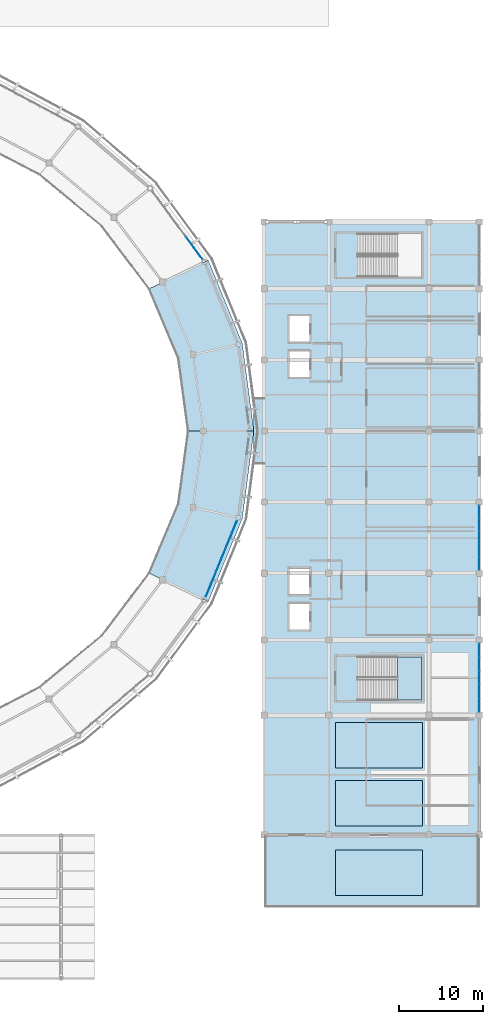
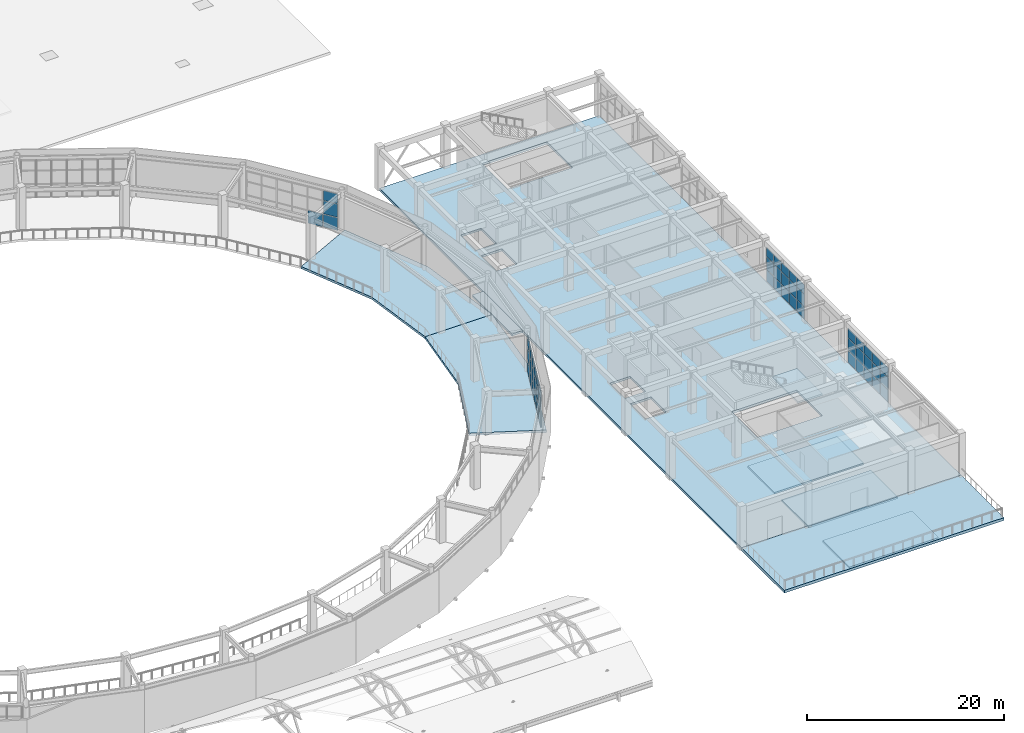
# One storey, part 47 of 70: 52 plates, 9 slabs, 5 elements without a shape of their own.
"""IFC4 building model written with IfcOpenShell, lengths in metres."""

import ifcopenshell
import ifcopenshell.guid

model = None  # the IFC model being written
_history = None  # IfcOwnerHistory: only IFC2X3 demands one
_inside = {}  # id of a spatial element -> (the spatial element, [elements in it])
_under = {}  # id of a project, library or spatial element -> (it, [spatial elements below it])
_declared = {}  # id of a project -> (the project, [libraries it declares])
_typed = {}  # id of a type object -> (the type object, [elements of that type])
_made_of = {}  # id of a material, layer set ... -> (it, [elements and type objects made of it])


def new_model(schema):
    """Start an empty IFC model of exactly this schema.

    Asked for "IFC4X3", IfcOpenShell would pick the latest addendum, in which some entities
    have other attributes; the version numbers below select the first issue.
    IFC2X3 requires an IfcOwnerHistory on every rooted entity: one is made here for all.
    """
    global model, _history
    if schema == "IFC4X3":
        model = ifcopenshell.file(schema_version=(4, 3, 0, 0))
    else:
        model = ifcopenshell.file(schema=schema)
    _inside.clear()
    _under.clear()
    _declared.clear()
    _typed.clear()
    _made_of.clear()
    _history = None
    if model.schema == "IFC2X3":
        org = make("IfcOrganization", Name="unknown")
        user = make(
            "IfcPersonAndOrganization",
            ThePerson=make("IfcPerson", FamilyName="unknown"),
            TheOrganization=org,
        )
        app = make(
            "IfcApplication",
            ApplicationDeveloper=org,
            Version="unknown",
            ApplicationFullName="unknown",
            ApplicationIdentifier="unknown",
        )
        _history = make(
            "IfcOwnerHistory",
            OwningUser=user,
            OwningApplication=app,
            ChangeAction="ADDED",
            CreationDate=0,
        )
    return model


def make(cls, **values):
    """One entity of the class cls with the attributes given. An attribute that is None is left unset."""
    return model.create_entity(
        cls, **{name: value for name, value in values.items() if value is not None}
    )


def rooted(cls, **values):
    """An entity with a GlobalId (a new one), such as an element, a storey or a relation."""
    return make(cls, GlobalId=ifcopenshell.guid.new(), OwnerHistory=_history, **values)


def si_unit(unit_type, name, prefix=None):
    """IfcSIUnit, for example si_unit("LENGTHUNIT", "METRE", prefix="MILLI")."""
    return make("IfcSIUnit", UnitType=unit_type, Prefix=prefix, Name=name)


def assignment(units):
    """IfcUnitAssignment: the units of a project."""
    return None if units is None else make("IfcUnitAssignment", Units=units)


def point(xyz):
    """IfcCartesianPoint."""
    return None if xyz is None else make("IfcCartesianPoint", Coordinates=xyz)


def direction(xyz):
    """IfcDirection."""
    return None if xyz is None else make("IfcDirection", DirectionRatios=xyz)


def frame(location, z_axis=None, x_axis=None):
    """IfcAxis2Placement3D, a coordinate frame: its origin and axes. An axis left out is left unset."""
    return make(
        "IfcAxis2Placement3D",
        Location=point(location),
        Axis=direction(z_axis),
        RefDirection=direction(x_axis),
    )


def frame_2d(location, x_axis=None):
    """IfcAxis2Placement2D, a coordinate frame in the plane: its origin and x axis."""
    return make(
        "IfcAxis2Placement2D", Location=point(location), RefDirection=direction(x_axis)
    )


def origin():
    """The frame at (0, 0, 0) with its axes left unset."""
    return frame((0.0, 0.0, 0.0))


def origin_2d():
    """The frame at (0, 0) in the plane with its x axis left unset."""
    return frame_2d((0.0, 0.0))


def place(relative_to, where):
    """IfcLocalPlacement: puts the frame where relative to a parent placement (None: the world)."""
    return make(
        "IfcLocalPlacement", PlacementRelTo=relative_to, RelativePlacement=where
    )


def context(
    kind, dimensions, precision=None, world=None, true_north=None, identifier=None
):
    """IfcGeometricRepresentationContext, for example the 3D "Model" context."""
    return make(
        "IfcGeometricRepresentationContext",
        ContextIdentifier=identifier,
        ContextType=kind,
        CoordinateSpaceDimension=dimensions,
        Precision=precision,
        WorldCoordinateSystem=world,
        TrueNorth=true_north,
    )


def subcontext(parent, identifier, kind, view, scale=None):
    """IfcGeometricRepresentationSubContext, for example "Body" below "Model"."""
    return make(
        "IfcGeometricRepresentationSubContext",
        ContextIdentifier=identifier,
        ContextType=kind,
        ParentContext=parent,
        TargetScale=scale,
        TargetView=view,
    )


def project(units=None, contexts=None):
    """IfcProject with its units and contexts."""
    return rooted(
        "IfcProject",
        Name="project",
        RepresentationContexts=contexts,
        UnitsInContext=assignment(units),
    )


def spatial(cls, under=None, at=None, **own):
    """A site, building, storey or space (cls), placed at a placement, below another one or the project."""
    s = rooted(cls, ObjectPlacement=at, **own)
    if under is not None:
        _under.setdefault(under.id(), (under, []))[1].append(s)
    return s


def polyline(points):
    """IfcPolyline through the points."""
    return make("IfcPolyline", Points=[point(p) for p in points])


def profile(cls, at=None, kind="AREA", **sizes):
    """A parametric profile (cls). Its sizes go by their IFC names, for example OverallWidth=200.0."""
    return make(cls, ProfileType=kind, Position=at, **sizes)


def rectangle(**sizes):
    """IfcRectangleProfileDef."""
    return profile("IfcRectangleProfileDef", **sizes)


def outline(outer, holes=None, kind="AREA"):
    """IfcArbitraryClosedProfileDef: a profile drawn as a closed curve; with holes, ...WithVoids."""
    if holes is None:
        return make("IfcArbitraryClosedProfileDef", ProfileType=kind, OuterCurve=outer)
    return make(
        "IfcArbitraryProfileDefWithVoids",
        ProfileType=kind,
        OuterCurve=outer,
        InnerCurves=holes,
    )


def extrude(swept, where, along, depth):
    """IfcExtrudedAreaSolid: the profile swept, set in the frame where, extruded along a direction by depth."""
    return make(
        "IfcExtrudedAreaSolid",
        SweptArea=swept,
        Position=where,
        ExtrudedDirection=direction(along),
        Depth=depth,
    )


def shape(context_of_items, identifier, shape_type, items):
    """IfcShapeRepresentation: the items that make up one representation, for example the "Body"."""
    return make(
        "IfcShapeRepresentation",
        ContextOfItems=context_of_items,
        RepresentationIdentifier=identifier,
        RepresentationType=shape_type,
        Items=items,
    )


def material(Name=None, Category=None):
    """IfcMaterial."""
    return make("IfcMaterial", Name=Name, Category=Category)


def layer(
    of_material, thickness, ventilated=None, Name=None, Category=None, Priority=None
):
    """IfcMaterialLayer: one layer of a wall or slab, of a material (None: an air gap)."""
    return make(
        "IfcMaterialLayer",
        Material=of_material,
        LayerThickness=thickness,
        IsVentilated=ventilated,
        Name=Name,
        Category=Category,
        Priority=Priority,
    )


def layer_set(layers, Name=None):
    """IfcMaterialLayerSet."""
    return make("IfcMaterialLayerSet", MaterialLayers=layers, LayerSetName=Name)


def made_of(thing, what):
    """Note that an element or type object is made of a material, layer set ...; save() writes the relation."""
    if what is not None:
        _made_of.setdefault(what.id(), (what, []))[1].append(thing)
    return thing


def type_object(cls, material=None, **own):
    """A type object (cls), such as IfcWallType, which elements share."""
    return made_of(rooted(cls, **own), material)


def element(
    cls,
    number,
    at=None,
    inside=None,
    cuts=None,
    type_object=None,
    material=None,
    context=None,
    identifier="Body",
    shape_type=None,
    held_by="IfcProductDefinitionShape",
    body=None,
    shapes=None,
    **own,
):
    """One element of the class cls, such as IfcWall. Its Tag is "e" and its number.

    at: its placement. inside: the storey or other place that contains it. cuts: it is an
    opening in that element (IfcRelVoidsElement). A single representation is given by context,
    identifier, shape_type and body (its items); several are given by shapes. held_by: the class
    of the entity that holds the representations. save() writes the other relations.
    """
    e = rooted(cls, Tag="e%d" % number, ObjectPlacement=at, **own)
    if body is not None:
        shapes = [shape(context, identifier, shape_type, body)]
    if shapes is not None:
        e.Representation = make(held_by, Representations=shapes)
    if inside is not None:
        _inside.setdefault(inside.id(), (inside, []))[1].append(e)
    if cuts is not None:
        rooted(
            "IfcRelVoidsElement", RelatingBuildingElement=cuts, RelatedOpeningElement=e
        )
    if type_object is not None:
        _typed.setdefault(type_object.id(), (type_object, []))[1].append(e)
    return made_of(e, material)


def aggregate(whole, parts):
    """IfcRelAggregates: a whole, such as a stair, and the parts it consists of."""
    return rooted("IfcRelAggregates", RelatingObject=whole, RelatedObjects=parts)


def save(model, path):
    """Write the relations noted so far, then the file.

    IfcRelAggregates (storeys below a building ...), IfcRelContainedInSpatialStructure (elements
    in a storey), IfcRelDefinesByType, IfcRelAssociatesMaterial and IfcRelDeclares: one each for
    every whole, place, type object, material and project.
    """
    for whole, parts in _under.values():
        aggregate(whole, parts)
    for where, things in _inside.values():
        rooted(
            "IfcRelContainedInSpatialStructure",
            RelatedElements=things,
            RelatingStructure=where,
        )
    for kind, things in _typed.values():
        rooted("IfcRelDefinesByType", RelatedObjects=things, RelatingType=kind)
    for what, things in _made_of.values():
        rooted("IfcRelAssociatesMaterial", RelatedObjects=things, RelatingMaterial=what)
    for by, libraries in _declared.values():
        rooted("IfcRelDeclares", RelatingContext=by, RelatedDefinitions=libraries)
    model.write(path)


model = new_model("IFC4")

# Units and contexts
model_context = context("Model", 3, precision=1e-05, world=origin(), true_north=direction((0.0, 1.0)))
body_context = subcontext(model_context, "Body", "Model", "MODEL_VIEW")
ifc_project = project(units=[si_unit("LENGTHUNIT", "METRE"), si_unit("AREAUNIT", "SQUARE_METRE"), si_unit("VOLUMEUNIT", "CUBIC_METRE"), si_unit("PLANEANGLEUNIT", "RADIAN"), si_unit("MASSUNIT", "GRAM", prefix="KILO")], contexts=[model_context])

# Site, building, storey
site_placement = place(None, origin())
site = spatial("IfcSite", under=ifc_project, at=site_placement, CompositionType="ELEMENT")
building_placement = place(site_placement, origin())
building = spatial("IfcBuilding", under=site, at=building_placement, Name="Cuetzalor Civic Arena", CompositionType="ELEMENT")
storey_placement = place(building_placement, frame((0.0, 0.0, 21.0)))
storey = spatial("IfcBuildingStorey", under=building, at=storey_placement, Name="L04", CompositionType="ELEMENT", Elevation=21.0)

# Curtain wall, plates
ifc_material_1 = material(Name="Anodised dark bronze aluminium and low-E solar glass", Category="aluminium")
curtain_wall_type_1 = type_object("IfcCurtainWallType", Name="UnitisedCW_10150x4650", PredefinedType="USERDEFINED", material=ifc_material_1)
curtain_wall_1_placement = place(storey_placement, origin())
curtain_wall_1 = element("IfcCurtainWall", 1, at=curtain_wall_1_placement, inside=storey, type_object=curtain_wall_type_1, Name="Drum Triangle Foyer Curtain Wall L04-057", ObjectType="UNITISED CURTAIN WALL", PredefinedType="USERDEFINED")
ifc_material_2 = material(Name="Acoustic laminated solar control glass", Category="glass")
ifc_layer_1 = layer(ifc_material_2, 0.0439453125)
ifc_layer_set_1 = layer_set([ifc_layer_1], Name="Acoustic laminated solar control glass")
plate_type = type_object("IfcPlateType", Name="AcousticTripleGlazedPanel_44", PredefinedType="CURTAIN_PANEL", material=ifc_layer_set_1)
plate_1_placement = place(storey_placement, frame((47.402099609375, 22.568359375, 0.06982421875), z_axis=(0.0, 0.0, 1.0), x_axis=(0.59292931222, -0.805254513002, 0.0)))
plate_1 = element("IfcPlate", 2, at=plate_1_placement, type_object=plate_type, Name="CW-06 panel 5.1", PredefinedType="CURTAIN_PANEL", context=body_context, shape_type="SweptSolid", body=[
    extrude(rectangle(XDim=1.62060546875, YDim=0.0439453125, at=origin_2d()), origin(), (0.0, 0.0, 1.0), 1.570068359375),
])
plate_2_placement = place(storey_placement, frame((48.39404296875, 21.220947265625, 0.06982421875), z_axis=(0.0, 0.0, 1.0), x_axis=(0.59292931222, -0.805254513002, 0.0)))
plate_2 = element("IfcPlate", 3, at=plate_2_placement, type_object=plate_type, Name="CW-06 panel 6.1", PredefinedType="CURTAIN_PANEL", context=body_context, shape_type="SweptSolid", body=[
    extrude(rectangle(XDim=1.585693359375, YDim=0.0439453125, at=origin_2d()), origin(), (0.0, 0.0, 1.0), 1.570068359375),
])
plate_3_placement = place(storey_placement, frame((48.39404296875, 21.220947265625, 1.7099609375), z_axis=(0.0, 0.0, 1.0), x_axis=(0.59292931222, -0.805254513002, 0.0)))
plate_3 = element("IfcPlate", 4, at=plate_3_placement, type_object=plate_type, Name="CW-06 panel 6.2", PredefinedType="CURTAIN_PANEL", context=body_context, shape_type="SweptSolid", body=[
    extrude(rectangle(XDim=1.585693359375, YDim=0.0439453125, at=origin_2d()), origin(), (0.0, 0.0, 1.0), 1.60498046875),
])
plate_4_placement = place(storey_placement, frame((48.39404296875, 21.220947265625, 3.384765625), z_axis=(0.0, 0.0, 1.0), x_axis=(0.59292931222, -0.805254513002, 0.0)))
plate_4 = element("IfcPlate", 5, at=plate_4_placement, type_object=plate_type, Name="CW-06 panel 6.3", PredefinedType="CURTAIN_PANEL", context=body_context, shape_type="SweptSolid", body=[
    extrude(rectangle(XDim=1.585693359375, YDim=0.0439453125, at=origin_2d()), origin(), (0.0, 0.0, 1.0), 1.197998046875),
])
aggregate(curtain_wall_1, [plate_1, plate_2, plate_3, plate_4])

ifc_material_3 = material(Name="Anodised dark bronze aluminium and low-E solar glass", Category="aluminium")
curtain_wall_type_2 = type_object("IfcCurtainWallType", Name="UnitisedCW_9850x4650", PredefinedType="USERDEFINED", material=ifc_material_3)
curtain_wall_2_placement = place(storey_placement, origin())
curtain_wall_2 = element("IfcCurtainWall", 6, at=curtain_wall_2_placement, inside=storey, type_object=curtain_wall_type_2, Name="Drum Triangle Foyer Curtain Wall L04-068", ObjectType="UNITISED CURTAIN WALL", PredefinedType="USERDEFINED")
plate_5_placement = place(storey_placement, frame((52.719482421875, -11.4873046875, 0.06982421875), z_axis=(0.0, 0.0, 1.0), x_axis=(-0.379391428583, -0.925236263836, 0.0)))
plate_5 = element("IfcPlate", 7, at=plate_5_placement, type_object=plate_type, Name="CW-11 panel 1.1", PredefinedType="CURTAIN_PANEL", context=body_context, shape_type="SweptSolid", body=[
    extrude(rectangle(XDim=1.540771484375, YDim=0.0439453125, at=origin_2d()), origin(), (0.0, 0.0, 1.0), 1.570068359375),
])
plate_6_placement = place(storey_placement, frame((52.719482421875, -11.4873046875, 1.7099609375), z_axis=(0.0, 0.0, 1.0), x_axis=(-0.379391428583, -0.925236263836, 0.0)))
plate_6 = element("IfcPlate", 8, at=plate_6_placement, type_object=plate_type, Name="CW-11 panel 1.2", PredefinedType="CURTAIN_PANEL", context=body_context, shape_type="SweptSolid", body=[
    extrude(rectangle(XDim=1.540771484375, YDim=0.0439453125, at=origin_2d()), origin(), (0.0, 0.0, 1.0), 1.60498046875),
])
plate_7_placement = place(storey_placement, frame((52.719482421875, -11.4873046875, 3.384765625), z_axis=(0.0, 0.0, 1.0), x_axis=(-0.379391428583, -0.925236263836, 0.0)))
plate_7 = element("IfcPlate", 9, at=plate_7_placement, type_object=plate_type, Name="CW-11 panel 1.3", PredefinedType="CURTAIN_PANEL", context=body_context, shape_type="SweptSolid", body=[
    extrude(rectangle(XDim=1.540771484375, YDim=0.0439453125, at=origin_2d()), origin(), (0.0, 0.0, 1.0), 1.197998046875),
])
plate_8_placement = place(storey_placement, frame((52.1015625, -12.993896484375, 0.06982421875), z_axis=(0.0, 0.0, 1.0), x_axis=(-0.379391428583, -0.925236263836, 0.0)))
plate_8 = element("IfcPlate", 10, at=plate_8_placement, type_object=plate_type, Name="CW-11 panel 2.1", PredefinedType="CURTAIN_PANEL", context=body_context, shape_type="SweptSolid", body=[
    extrude(rectangle(XDim=1.57568359375, YDim=0.0439453125, at=origin_2d()), origin(), (0.0, 0.0, 1.0), 1.570068359375),
])
plate_9_placement = place(storey_placement, frame((52.1015625, -12.993896484375, 1.7099609375), z_axis=(0.0, 0.0, 1.0), x_axis=(-0.379391428583, -0.925236263836, 0.0)))
plate_9 = element("IfcPlate", 11, at=plate_9_placement, type_object=plate_type, Name="CW-11 panel 2.2", PredefinedType="CURTAIN_PANEL", context=body_context, shape_type="SweptSolid", body=[
    extrude(rectangle(XDim=1.57568359375, YDim=0.0439453125, at=origin_2d()), origin(), (0.0, 0.0, 1.0), 1.60498046875),
])
plate_10_placement = place(storey_placement, frame((52.1015625, -12.993896484375, 3.384765625), z_axis=(0.0, 0.0, 1.0), x_axis=(-0.379391428583, -0.925236263836, 0.0)))
plate_10 = element("IfcPlate", 12, at=plate_10_placement, type_object=plate_type, Name="CW-11 panel 2.3", PredefinedType="CURTAIN_PANEL", context=body_context, shape_type="SweptSolid", body=[
    extrude(rectangle(XDim=1.57568359375, YDim=0.0439453125, at=origin_2d()), origin(), (0.0, 0.0, 1.0), 1.197998046875),
])
plate_11_placement = place(storey_placement, frame((51.477294921875, -14.516357421875, 0.06982421875), z_axis=(0.0, 0.0, 1.0), x_axis=(-0.379391428583, -0.925236263836, 0.0)))
plate_11 = element("IfcPlate", 13, at=plate_11_placement, type_object=plate_type, Name="CW-11 panel 3.1", PredefinedType="CURTAIN_PANEL", context=body_context, shape_type="SweptSolid", body=[
    extrude(rectangle(XDim=1.57568359375, YDim=0.0439453125, at=origin_2d()), origin(), (0.0, 0.0, 1.0), 1.570068359375),
])
plate_12_placement = place(storey_placement, frame((51.477294921875, -14.516357421875, 1.7099609375), z_axis=(0.0, 0.0, 1.0), x_axis=(-0.379391428583, -0.925236263836, 0.0)))
plate_12 = element("IfcPlate", 14, at=plate_12_placement, type_object=plate_type, Name="CW-11 panel 3.2", PredefinedType="CURTAIN_PANEL", context=body_context, shape_type="SweptSolid", body=[
    extrude(rectangle(XDim=1.57568359375, YDim=0.0439453125, at=origin_2d()), origin(), (0.0, 0.0, 1.0), 1.60498046875),
])
plate_13_placement = place(storey_placement, frame((51.477294921875, -14.516357421875, 3.384765625), z_axis=(0.0, 0.0, 1.0), x_axis=(-0.379391428583, -0.925236263836, 0.0)))
plate_13 = element("IfcPlate", 15, at=plate_13_placement, type_object=plate_type, Name="CW-11 panel 3.3", PredefinedType="CURTAIN_PANEL", context=body_context, shape_type="SweptSolid", body=[
    extrude(rectangle(XDim=1.57568359375, YDim=0.0439453125, at=origin_2d()), origin(), (0.0, 0.0, 1.0), 1.197998046875),
])
plate_14_placement = place(storey_placement, frame((50.85302734375, -16.0390625, 0.06982421875), z_axis=(0.0, 0.0, 1.0), x_axis=(-0.379391428583, -0.925236263836, 0.0)))
plate_14 = element("IfcPlate", 16, at=plate_14_placement, type_object=plate_type, Name="CW-11 panel 4.1", PredefinedType="CURTAIN_PANEL", context=body_context, shape_type="SweptSolid", body=[
    extrude(rectangle(XDim=1.57568359375, YDim=0.0439453125, at=origin_2d()), origin(), (0.0, 0.0, 1.0), 1.570068359375),
])
plate_15_placement = place(storey_placement, frame((50.85302734375, -16.0390625, 1.7099609375), z_axis=(0.0, 0.0, 1.0), x_axis=(-0.379391428583, -0.925236263836, 0.0)))
plate_15 = element("IfcPlate", 17, at=plate_15_placement, type_object=plate_type, Name="CW-11 panel 4.2", PredefinedType="CURTAIN_PANEL", context=body_context, shape_type="SweptSolid", body=[
    extrude(rectangle(XDim=1.57568359375, YDim=0.0439453125, at=origin_2d()), origin(), (0.0, 0.0, 1.0), 1.60498046875),
])
plate_16_placement = place(storey_placement, frame((50.85302734375, -16.0390625, 3.384765625), z_axis=(0.0, 0.0, 1.0), x_axis=(-0.379391428583, -0.925236263836, 0.0)))
plate_16 = element("IfcPlate", 18, at=plate_16_placement, type_object=plate_type, Name="CW-11 panel 4.3", PredefinedType="CURTAIN_PANEL", context=body_context, shape_type="SweptSolid", body=[
    extrude(rectangle(XDim=1.57568359375, YDim=0.0439453125, at=origin_2d()), origin(), (0.0, 0.0, 1.0), 1.197998046875),
])
plate_17_placement = place(storey_placement, frame((50.228515625, -17.561767578125, 0.06982421875), z_axis=(0.0, 0.0, 1.0), x_axis=(-0.379391428583, -0.925236263836, 0.0)))
plate_17 = element("IfcPlate", 19, at=plate_17_placement, type_object=plate_type, Name="CW-11 panel 5.1", PredefinedType="CURTAIN_PANEL", context=body_context, shape_type="SweptSolid", body=[
    extrude(rectangle(XDim=1.57568359375, YDim=0.0439453125, at=origin_2d()), origin(), (0.0, 0.0, 1.0), 1.570068359375),
])
plate_18_placement = place(storey_placement, frame((50.228515625, -17.561767578125, 1.7099609375), z_axis=(0.0, 0.0, 1.0), x_axis=(-0.379391428583, -0.925236263836, 0.0)))
plate_18 = element("IfcPlate", 20, at=plate_18_placement, type_object=plate_type, Name="CW-11 panel 5.2", PredefinedType="CURTAIN_PANEL", context=body_context, shape_type="SweptSolid", body=[
    extrude(rectangle(XDim=1.57568359375, YDim=0.0439453125, at=origin_2d()), origin(), (0.0, 0.0, 1.0), 1.60498046875),
])
plate_19_placement = place(storey_placement, frame((50.228515625, -17.561767578125, 3.384765625), z_axis=(0.0, 0.0, 1.0), x_axis=(-0.379391428583, -0.925236263836, 0.0)))
plate_19 = element("IfcPlate", 21, at=plate_19_placement, type_object=plate_type, Name="CW-11 panel 5.3", PredefinedType="CURTAIN_PANEL", context=body_context, shape_type="SweptSolid", body=[
    extrude(rectangle(XDim=1.57568359375, YDim=0.0439453125, at=origin_2d()), origin(), (0.0, 0.0, 1.0), 1.197998046875),
])
plate_20_placement = place(storey_placement, frame((49.61083984375, -19.068359375, 0.06982421875), z_axis=(0.0, 0.0, 1.0), x_axis=(-0.379391428583, -0.925236263836, 0.0)))
plate_20 = element("IfcPlate", 22, at=plate_20_placement, type_object=plate_type, Name="CW-11 panel 6.1", PredefinedType="CURTAIN_PANEL", context=body_context, shape_type="SweptSolid", body=[
    extrude(rectangle(XDim=1.540771484375, YDim=0.0439453125, at=origin_2d()), origin(), (0.0, 0.0, 1.0), 1.570068359375),
])
plate_21_placement = place(storey_placement, frame((49.61083984375, -19.068359375, 1.7099609375), z_axis=(0.0, 0.0, 1.0), x_axis=(-0.379391428583, -0.925236263836, 0.0)))
plate_21 = element("IfcPlate", 23, at=plate_21_placement, type_object=plate_type, Name="CW-11 panel 6.2", PredefinedType="CURTAIN_PANEL", context=body_context, shape_type="SweptSolid", body=[
    extrude(rectangle(XDim=1.540771484375, YDim=0.0439453125, at=origin_2d()), origin(), (0.0, 0.0, 1.0), 1.60498046875),
])
plate_22_placement = place(storey_placement, frame((49.61083984375, -19.068359375, 3.384765625), z_axis=(0.0, 0.0, 1.0), x_axis=(-0.379391428583, -0.925236263836, 0.0)))
plate_22 = element("IfcPlate", 24, at=plate_22_placement, type_object=plate_type, Name="CW-11 panel 6.3", PredefinedType="CURTAIN_PANEL", context=body_context, shape_type="SweptSolid", body=[
    extrude(rectangle(XDim=1.540771484375, YDim=0.0439453125, at=origin_2d()), origin(), (0.0, 0.0, 1.0), 1.197998046875),
])
aggregate(curtain_wall_2, [plate_5, plate_6, plate_7, plate_8, plate_9, plate_10, plate_11, plate_12, plate_13, plate_14, plate_15, plate_16, plate_17, plate_18, plate_19, plate_20, plate_21, plate_22])

ifc_material_4 = material(Name="Anodised dark bronze aluminium and low-E solar glass", Category="aluminium")
curtain_wall_type_3 = type_object("IfcCurtainWallType", Name="UnitisedCW_8300x4350", PredefinedType="USERDEFINED", material=ifc_material_4)
curtain_wall_3_placement = place(storey_placement, origin())
curtain_wall_3 = element("IfcCurtainWall", 25, at=curtain_wall_3_placement, inside=storey, type_object=curtain_wall_type_3, Name="V4E Suite Viewing Curtain Wall L04-150", ObjectType="UNITISED CURTAIN WALL", PredefinedType="USERDEFINED")
plate_23_placement = place(storey_placement, frame((82.0, -26.201904296875, 0.06494140625), z_axis=(0.0, 0.0, 1.0), x_axis=(0.0, -1.0, 0.0)))
plate_23 = element("IfcPlate", 26, at=plate_23_placement, type_object=plate_type, Name="CW-46 panel 1.1", PredefinedType="CURTAIN_PANEL", context=body_context, shape_type="SweptSolid", body=[
    extrude(rectangle(XDim=1.559814453125, YDim=0.0439453125, at=origin_2d()), origin(), (0.0, 0.0, 1.0), 1.472412109375),
])
plate_24_placement = place(storey_placement, frame((82.0, -26.201904296875, 1.6025390625), z_axis=(0.0, 0.0, 1.0), x_axis=(0.0, -1.0, 0.0)))
plate_24 = element("IfcPlate", 27, at=plate_24_placement, type_object=plate_type, Name="CW-46 panel 1.2", PredefinedType="CURTAIN_PANEL", context=body_context, shape_type="SweptSolid", body=[
    extrude(rectangle(XDim=1.559814453125, YDim=0.0439453125, at=origin_2d()), origin(), (0.0, 0.0, 1.0), 1.50390625),
])
plate_25_placement = place(storey_placement, frame((82.0, -26.201904296875, 3.17138671875), z_axis=(0.0, 0.0, 1.0), x_axis=(0.0, -1.0, 0.0)))
plate_25 = element("IfcPlate", 28, at=plate_25_placement, type_object=plate_type, Name="CW-46 panel 1.3", PredefinedType="CURTAIN_PANEL", context=body_context, shape_type="SweptSolid", body=[
    extrude(rectangle(XDim=1.559814453125, YDim=0.0439453125, at=origin_2d()), origin(), (0.0, 0.0, 1.0), 1.12353515625),
])
plate_26_placement = place(storey_placement, frame((82.0, -27.8427734375, 0.06494140625), z_axis=(0.0, 0.0, 1.0), x_axis=(0.0, -1.0, 0.0)))
plate_26 = element("IfcPlate", 29, at=plate_26_placement, type_object=plate_type, Name="CW-46 panel 2.1", PredefinedType="CURTAIN_PANEL", context=body_context, shape_type="SweptSolid", body=[
    extrude(rectangle(XDim=1.59228515625, YDim=0.0439453125, at=origin_2d()), origin(), (0.0, 0.0, 1.0), 1.472412109375),
])
plate_27_placement = place(storey_placement, frame((82.0, -27.8427734375, 1.6025390625), z_axis=(0.0, 0.0, 1.0), x_axis=(0.0, -1.0, 0.0)))
plate_27 = element("IfcPlate", 30, at=plate_27_placement, type_object=plate_type, Name="CW-46 panel 2.2", PredefinedType="CURTAIN_PANEL", context=body_context, shape_type="SweptSolid", body=[
    extrude(rectangle(XDim=1.59228515625, YDim=0.0439453125, at=origin_2d()), origin(), (0.0, 0.0, 1.0), 1.50390625),
])
plate_28_placement = place(storey_placement, frame((82.0, -27.8427734375, 3.17138671875), z_axis=(0.0, 0.0, 1.0), x_axis=(0.0, -1.0, 0.0)))
plate_28 = element("IfcPlate", 31, at=plate_28_placement, type_object=plate_type, Name="CW-46 panel 2.3", PredefinedType="CURTAIN_PANEL", context=body_context, shape_type="SweptSolid", body=[
    extrude(rectangle(XDim=1.59228515625, YDim=0.0439453125, at=origin_2d()), origin(), (0.0, 0.0, 1.0), 1.12353515625),
])
plate_29_placement = place(storey_placement, frame((82.0, -29.5, 0.06494140625), z_axis=(0.0, 0.0, 1.0), x_axis=(0.0, -1.0, 0.0)))
plate_29 = element("IfcPlate", 32, at=plate_29_placement, type_object=plate_type, Name="CW-46 panel 3.1", PredefinedType="CURTAIN_PANEL", context=body_context, shape_type="SweptSolid", body=[
    extrude(rectangle(XDim=1.59228515625, YDim=0.0439453125, at=origin_2d()), origin(), (0.0, 0.0, 1.0), 1.472412109375),
])
plate_30_placement = place(storey_placement, frame((82.0, -29.5, 1.6025390625), z_axis=(0.0, 0.0, 1.0), x_axis=(0.0, -1.0, 0.0)))
plate_30 = element("IfcPlate", 33, at=plate_30_placement, type_object=plate_type, Name="CW-46 panel 3.2", PredefinedType="CURTAIN_PANEL", context=body_context, shape_type="SweptSolid", body=[
    extrude(rectangle(XDim=1.59228515625, YDim=0.0439453125, at=origin_2d()), origin(), (0.0, 0.0, 1.0), 1.50390625),
])
plate_31_placement = place(storey_placement, frame((82.0, -29.5, 3.17138671875), z_axis=(0.0, 0.0, 1.0), x_axis=(0.0, -1.0, 0.0)))
plate_31 = element("IfcPlate", 34, at=plate_31_placement, type_object=plate_type, Name="CW-46 panel 3.3", PredefinedType="CURTAIN_PANEL", context=body_context, shape_type="SweptSolid", body=[
    extrude(rectangle(XDim=1.59228515625, YDim=0.0439453125, at=origin_2d()), origin(), (0.0, 0.0, 1.0), 1.12353515625),
])
plate_32_placement = place(storey_placement, frame((82.0, -31.1572265625, 0.06494140625), z_axis=(0.0, 0.0, 1.0), x_axis=(0.0, -1.0, 0.0)))
plate_32 = element("IfcPlate", 35, at=plate_32_placement, type_object=plate_type, Name="CW-46 panel 4.1", PredefinedType="CURTAIN_PANEL", context=body_context, shape_type="SweptSolid", body=[
    extrude(rectangle(XDim=1.59228515625, YDim=0.0439453125, at=origin_2d()), origin(), (0.0, 0.0, 1.0), 1.472412109375),
])
plate_33_placement = place(storey_placement, frame((82.0, -31.1572265625, 1.6025390625), z_axis=(0.0, 0.0, 1.0), x_axis=(0.0, -1.0, 0.0)))
plate_33 = element("IfcPlate", 36, at=plate_33_placement, type_object=plate_type, Name="CW-46 panel 4.2", PredefinedType="CURTAIN_PANEL", context=body_context, shape_type="SweptSolid", body=[
    extrude(rectangle(XDim=1.59228515625, YDim=0.0439453125, at=origin_2d()), origin(), (0.0, 0.0, 1.0), 1.50390625),
])
plate_34_placement = place(storey_placement, frame((82.0, -31.1572265625, 3.17138671875), z_axis=(0.0, 0.0, 1.0), x_axis=(0.0, -1.0, 0.0)))
plate_34 = element("IfcPlate", 37, at=plate_34_placement, type_object=plate_type, Name="CW-46 panel 4.3", PredefinedType="CURTAIN_PANEL", context=body_context, shape_type="SweptSolid", body=[
    extrude(rectangle(XDim=1.59228515625, YDim=0.0439453125, at=origin_2d()), origin(), (0.0, 0.0, 1.0), 1.12353515625),
])
plate_35_placement = place(storey_placement, frame((82.0, -32.798095703125, 0.06494140625), z_axis=(0.0, 0.0, 1.0), x_axis=(0.0, -1.0, 0.0)))
plate_35 = element("IfcPlate", 38, at=plate_35_placement, type_object=plate_type, Name="CW-46 panel 5.1", PredefinedType="CURTAIN_PANEL", context=body_context, shape_type="SweptSolid", body=[
    extrude(rectangle(XDim=1.559814453125, YDim=0.0439453125, at=origin_2d()), origin(), (0.0, 0.0, 1.0), 1.472412109375),
])
plate_36_placement = place(storey_placement, frame((82.0, -32.798095703125, 1.6025390625), z_axis=(0.0, 0.0, 1.0), x_axis=(0.0, -1.0, 0.0)))
plate_36 = element("IfcPlate", 39, at=plate_36_placement, type_object=plate_type, Name="CW-46 panel 5.2", PredefinedType="CURTAIN_PANEL", context=body_context, shape_type="SweptSolid", body=[
    extrude(rectangle(XDim=1.559814453125, YDim=0.0439453125, at=origin_2d()), origin(), (0.0, 0.0, 1.0), 1.50390625),
])
plate_37_placement = place(storey_placement, frame((82.0, -32.798095703125, 3.17138671875), z_axis=(0.0, 0.0, 1.0), x_axis=(0.0, -1.0, 0.0)))
plate_37 = element("IfcPlate", 40, at=plate_37_placement, type_object=plate_type, Name="CW-46 panel 5.3", PredefinedType="CURTAIN_PANEL", context=body_context, shape_type="SweptSolid", body=[
    extrude(rectangle(XDim=1.559814453125, YDim=0.0439453125, at=origin_2d()), origin(), (0.0, 0.0, 1.0), 1.12353515625),
])
aggregate(curtain_wall_3, [plate_23, plate_24, plate_25, plate_26, plate_27, plate_28, plate_29, plate_30, plate_31, plate_32, plate_33, plate_34, plate_35, plate_36, plate_37])

ifc_material_5 = material(Name="Anodised dark bronze aluminium and low-E solar glass", Category="aluminium")
curtain_wall_type_4 = type_object("IfcCurtainWallType", Name="UnitisedCW_7800x4350", PredefinedType="USERDEFINED", material=ifc_material_5)
curtain_wall_4_placement = place(storey_placement, origin())
curtain_wall_4 = element("IfcCurtainWall", 41, at=curtain_wall_4_placement, inside=storey, type_object=curtain_wall_type_4, Name="V4E Suite Viewing Curtain Wall L04-151", ObjectType="UNITISED CURTAIN WALL", PredefinedType="USERDEFINED")
plate_38_placement = place(storey_placement, frame((82.0, -9.65185546875, 0.06494140625), z_axis=(0.0, 0.0, 1.0), x_axis=(0.0, -1.0, 0.0)))
plate_38 = element("IfcPlate", 42, at=plate_38_placement, type_object=plate_type, Name="CW-47 panel 1.1", PredefinedType="CURTAIN_PANEL", context=body_context, shape_type="SweptSolid", body=[
    extrude(rectangle(XDim=1.459716796875, YDim=0.0439453125, at=origin_2d()), origin(), (0.0, 0.0, 1.0), 1.472412109375),
])
plate_39_placement = place(storey_placement, frame((82.0, -9.65185546875, 1.6025390625), z_axis=(0.0, 0.0, 1.0), x_axis=(0.0, -1.0, 0.0)))
plate_39 = element("IfcPlate", 43, at=plate_39_placement, type_object=plate_type, Name="CW-47 panel 1.2", PredefinedType="CURTAIN_PANEL", context=body_context, shape_type="SweptSolid", body=[
    extrude(rectangle(XDim=1.459716796875, YDim=0.0439453125, at=origin_2d()), origin(), (0.0, 0.0, 1.0), 1.50390625),
])
plate_40_placement = place(storey_placement, frame((82.0, -9.65185546875, 3.17138671875), z_axis=(0.0, 0.0, 1.0), x_axis=(0.0, -1.0, 0.0)))
plate_40 = element("IfcPlate", 44, at=plate_40_placement, type_object=plate_type, Name="CW-47 panel 1.3", PredefinedType="CURTAIN_PANEL", context=body_context, shape_type="SweptSolid", body=[
    extrude(rectangle(XDim=1.459716796875, YDim=0.0439453125, at=origin_2d()), origin(), (0.0, 0.0, 1.0), 1.12353515625),
])
plate_41_placement = place(storey_placement, frame((82.0, -11.19287109375, 0.06494140625), z_axis=(0.0, 0.0, 1.0), x_axis=(0.0, -1.0, 0.0)))
plate_41 = element("IfcPlate", 45, at=plate_41_placement, type_object=plate_type, Name="CW-47 panel 2.1", PredefinedType="CURTAIN_PANEL", context=body_context, shape_type="SweptSolid", body=[
    extrude(rectangle(XDim=1.4921875, YDim=0.0439453125, at=origin_2d()), origin(), (0.0, 0.0, 1.0), 1.472412109375),
])
plate_42_placement = place(storey_placement, frame((82.0, -11.19287109375, 1.6025390625), z_axis=(0.0, 0.0, 1.0), x_axis=(0.0, -1.0, 0.0)))
plate_42 = element("IfcPlate", 46, at=plate_42_placement, type_object=plate_type, Name="CW-47 panel 2.2", PredefinedType="CURTAIN_PANEL", context=body_context, shape_type="SweptSolid", body=[
    extrude(rectangle(XDim=1.4921875, YDim=0.0439453125, at=origin_2d()), origin(), (0.0, 0.0, 1.0), 1.50390625),
])
plate_43_placement = place(storey_placement, frame((82.0, -11.19287109375, 3.17138671875), z_axis=(0.0, 0.0, 1.0), x_axis=(0.0, -1.0, 0.0)))
plate_43 = element("IfcPlate", 47, at=plate_43_placement, type_object=plate_type, Name="CW-47 panel 2.3", PredefinedType="CURTAIN_PANEL", context=body_context, shape_type="SweptSolid", body=[
    extrude(rectangle(XDim=1.4921875, YDim=0.0439453125, at=origin_2d()), origin(), (0.0, 0.0, 1.0), 1.12353515625),
])
plate_44_placement = place(storey_placement, frame((82.0, -12.75, 0.06494140625), z_axis=(0.0, 0.0, 1.0), x_axis=(0.0, -1.0, 0.0)))
plate_44 = element("IfcPlate", 48, at=plate_44_placement, type_object=plate_type, Name="CW-47 panel 3.1", PredefinedType="CURTAIN_PANEL", context=body_context, shape_type="SweptSolid", body=[
    extrude(rectangle(XDim=1.4921875, YDim=0.0439453125, at=origin_2d()), origin(), (0.0, 0.0, 1.0), 1.472412109375),
])
plate_45_placement = place(storey_placement, frame((82.0, -12.75, 1.6025390625), z_axis=(0.0, 0.0, 1.0), x_axis=(0.0, -1.0, 0.0)))
plate_45 = element("IfcPlate", 49, at=plate_45_placement, type_object=plate_type, Name="CW-47 panel 3.2", PredefinedType="CURTAIN_PANEL", context=body_context, shape_type="SweptSolid", body=[
    extrude(rectangle(XDim=1.4921875, YDim=0.0439453125, at=origin_2d()), origin(), (0.0, 0.0, 1.0), 1.50390625),
])
plate_46_placement = place(storey_placement, frame((82.0, -12.75, 3.17138671875), z_axis=(0.0, 0.0, 1.0), x_axis=(0.0, -1.0, 0.0)))
plate_46 = element("IfcPlate", 50, at=plate_46_placement, type_object=plate_type, Name="CW-47 panel 3.3", PredefinedType="CURTAIN_PANEL", context=body_context, shape_type="SweptSolid", body=[
    extrude(rectangle(XDim=1.4921875, YDim=0.0439453125, at=origin_2d()), origin(), (0.0, 0.0, 1.0), 1.12353515625),
])
plate_47_placement = place(storey_placement, frame((82.0, -14.30712890625, 0.06494140625), z_axis=(0.0, 0.0, 1.0), x_axis=(0.0, -1.0, 0.0)))
plate_47 = element("IfcPlate", 51, at=plate_47_placement, type_object=plate_type, Name="CW-47 panel 4.1", PredefinedType="CURTAIN_PANEL", context=body_context, shape_type="SweptSolid", body=[
    extrude(rectangle(XDim=1.4921875, YDim=0.0439453125, at=origin_2d()), origin(), (0.0, 0.0, 1.0), 1.472412109375),
])
plate_48_placement = place(storey_placement, frame((82.0, -14.30712890625, 1.6025390625), z_axis=(0.0, 0.0, 1.0), x_axis=(0.0, -1.0, 0.0)))
plate_48 = element("IfcPlate", 52, at=plate_48_placement, type_object=plate_type, Name="CW-47 panel 4.2", PredefinedType="CURTAIN_PANEL", context=body_context, shape_type="SweptSolid", body=[
    extrude(rectangle(XDim=1.4921875, YDim=0.0439453125, at=origin_2d()), origin(), (0.0, 0.0, 1.0), 1.50390625),
])
plate_49_placement = place(storey_placement, frame((82.0, -14.30712890625, 3.17138671875), z_axis=(0.0, 0.0, 1.0), x_axis=(0.0, -1.0, 0.0)))
plate_49 = element("IfcPlate", 53, at=plate_49_placement, type_object=plate_type, Name="CW-47 panel 4.3", PredefinedType="CURTAIN_PANEL", context=body_context, shape_type="SweptSolid", body=[
    extrude(rectangle(XDim=1.4921875, YDim=0.0439453125, at=origin_2d()), origin(), (0.0, 0.0, 1.0), 1.12353515625),
])
plate_50_placement = place(storey_placement, frame((82.0, -15.84814453125, 0.06494140625), z_axis=(0.0, 0.0, 1.0), x_axis=(0.0, -1.0, 0.0)))
plate_50 = element("IfcPlate", 54, at=plate_50_placement, type_object=plate_type, Name="CW-47 panel 5.1", PredefinedType="CURTAIN_PANEL", context=body_context, shape_type="SweptSolid", body=[
    extrude(rectangle(XDim=1.459716796875, YDim=0.0439453125, at=origin_2d()), origin(), (0.0, 0.0, 1.0), 1.472412109375),
])
plate_51_placement = place(storey_placement, frame((82.0, -15.84814453125, 1.6025390625), z_axis=(0.0, 0.0, 1.0), x_axis=(0.0, -1.0, 0.0)))
plate_51 = element("IfcPlate", 55, at=plate_51_placement, type_object=plate_type, Name="CW-47 panel 5.2", PredefinedType="CURTAIN_PANEL", context=body_context, shape_type="SweptSolid", body=[
    extrude(rectangle(XDim=1.459716796875, YDim=0.0439453125, at=origin_2d()), origin(), (0.0, 0.0, 1.0), 1.50390625),
])
plate_52_placement = place(storey_placement, frame((82.0, -15.84814453125, 3.17138671875), z_axis=(0.0, 0.0, 1.0), x_axis=(0.0, -1.0, 0.0)))
plate_52 = element("IfcPlate", 56, at=plate_52_placement, type_object=plate_type, Name="CW-47 panel 5.3", PredefinedType="CURTAIN_PANEL", context=body_context, shape_type="SweptSolid", body=[
    extrude(rectangle(XDim=1.459716796875, YDim=0.0439453125, at=origin_2d()), origin(), (0.0, 0.0, 1.0), 1.12353515625),
])
aggregate(curtain_wall_4, [plate_38, plate_39, plate_40, plate_41, plate_42, plate_43, plate_44, plate_45, plate_46, plate_47, plate_48, plate_49, plate_50, plate_51, plate_52])

# Slabs
ifc_material_6 = material(Name="Concrete C40/50", Category="concrete")
ifc_layer_2 = layer(ifc_material_6, 0.260009765625)
ifc_layer_set_2 = layer_set([ifc_layer_2], Name="Concrete C40/50")
slab_type_1 = type_object("IfcSlabType", Name="BridgeDeckSlab_260", PredefinedType="FLOOR", material=ifc_layer_set_2)
slab_1_placement = place(storey_placement, frame((0.0, 0.0, -0.260009765625)))
element("IfcSlab", 57, at=slab_1_placement, inside=storey, type_object=slab_type_1, Name="Seismic Joint Circulation Bridge V4E L04", PredefinedType="FLOOR", context=body_context, shape_type="SweptSolid", body=[
    extrude(outline(polyline([(55.030029296875, -4.0), (56.320068359375, -4.0), (56.320068359375, 4.0), (55.030029296875, 4.0), (55.030029296875, -4.0)])), origin(), (0.0, 0.0, 1.0), 0.260009765625),
])
ifc_material_7 = material(Name="Concrete C40/50", Category="concrete")
ifc_layer_3 = layer(ifc_material_7, 0.219970703125)
ifc_layer_set_3 = layer_set([ifc_layer_3], Name="Concrete C40/50")
slab_type_2 = type_object("IfcSlabType", Name="LiftShaftRoofCapSlab_220", PredefinedType="ROOF", material=ifc_layer_set_3)
slab_2_placement = place(storey_placement, frame((0.0, 0.0, -1.199951171875)))
element("IfcSlab", 58, at=slab_2_placement, inside=storey, type_object=slab_type_2, Name="Stair Core Enclosure Cap Slab ST-18", PredefinedType="ROOF", context=body_context, shape_type="SweptSolid", body=[
    extrude(outline(polyline([(64.780029296875, -55.52001953125), (75.219970703125, -55.52001953125), (75.219970703125, -50.080078125), (64.780029296875, -50.080078125), (64.780029296875, -55.52001953125)])), origin(), (0.0, 0.0, 1.0), 0.219970703125),
])
slab_3_placement = place(storey_placement, frame((0.0, 0.0, -1.199951171875)))
element("IfcSlab", 59, at=slab_3_placement, inside=storey, type_object=slab_type_2, Name="Stair Core Enclosure Cap Slab ST-19", PredefinedType="ROOF", context=body_context, shape_type="SweptSolid", body=[
    extrude(outline(polyline([(64.780029296875, -47.219970703125), (75.219970703125, -47.219970703125), (75.219970703125, -41.780029296875), (64.780029296875, -41.780029296875), (64.780029296875, -47.219970703125)])), origin(), (0.0, 0.0, 1.0), 0.219970703125),
])
slab_4_placement = place(storey_placement, frame((0.0, 0.0, -1.199951171875)))
element("IfcSlab", 60, at=slab_4_placement, inside=storey, type_object=slab_type_2, Name="Stair Core Enclosure Cap Slab ST-20", PredefinedType="ROOF", context=body_context, shape_type="SweptSolid", body=[
    extrude(outline(polyline([(64.780029296875, -40.320068359375), (75.219970703125, -40.320068359375), (75.219970703125, -34.8798828125), (64.780029296875, -34.8798828125), (64.780029296875, -40.320068359375)])), origin(), (0.0, 0.0, 1.0), 0.219970703125),
])
ifc_material_8 = material(Name="Concrete C35/45", Category="concrete")
ifc_layer_4 = layer(ifc_material_8, 0.340087890625)
ifc_layer_set_4 = layer_set([ifc_layer_4], Name="Concrete C35/45")
slab_type_3 = type_object("IfcSlabType", Name="PlantedRoofGardenSlab_340", PredefinedType="FLOOR", material=ifc_layer_set_4)
slab_5_placement = place(storey_placement, frame((0.0, 0.0, -0.340087890625)))
element("IfcSlab", 61, at=slab_5_placement, inside=storey, type_object=slab_type_3, Name="Planted Roof Garden 4 Slab L04", PredefinedType="FLOOR", context=body_context, shape_type="SweptSolid", body=[
    extrude(outline(polyline([(56.300048828125, -57.0), (82.0, -57.0), (82.0, -48.300048828125), (56.300048828125, -48.300048828125), (56.300048828125, -57.0)])), origin(), (0.0, 0.0, 1.0), 0.340087890625),
])

# Stair, slab
ifc_material_9 = material(Name="Precast concrete C40/50", Category="concrete")
stair_type = type_object("IfcStairType", Name="EnclosedExitStair_H540", PredefinedType="HALF_TURN_STAIR", material=ifc_material_9)
stair_placement = place(storey_placement, origin())
stair = element("IfcStair", 62, at=stair_placement, inside=storey, type_object=stair_type, Name="L04 Enclosed Exit Stair ST-21", PredefinedType="HALF_TURN_STAIR")
ifc_material_10 = material(Name="Concrete C40/50", Category="concrete")
ifc_layer_5 = layer(ifc_material_10, 0.199951171875)
ifc_layer_set_5 = layer_set([ifc_layer_5], Name="Concrete C40/50")
slab_type_4 = type_object("IfcSlabType", Name="StairHalfLandingSlab_200", PredefinedType="LANDING", material=ifc_layer_set_5)
slab_6_placement = place(storey_placement, frame((0.0, 0.0, 2.5)))
slab_6 = element("IfcSlab", 63, at=slab_6_placement, type_object=slab_type_4, Name="ST-21 landing 1", PredefinedType="LANDING", context=body_context, shape_type="SweptSolid", body=[
    extrude(outline(polyline([(72.219970703125, -32.199951171875), (75.10009765625, -32.199951171875), (75.10009765625, -27.0), (72.219970703125, -27.0), (72.219970703125, -32.199951171875)])), origin(), (0.0, 0.0, 1.0), 0.199951171875),
])
aggregate(stair, [slab_6])

# Slabs
ifc_material_11 = material(Name="Concrete C35/45", Category="concrete")
ifc_layer_6 = layer(ifc_material_11, 0.280029296875)
ifc_layer_set_6 = layer_set([ifc_layer_6], Name="Concrete C35/45")
slab_type_5 = type_object("IfcSlabType", Name="SuspendedFloorSlab_280", PredefinedType="FLOOR", material=ifc_layer_set_6)
slab_7_placement = place(storey_placement, frame((0.0, 0.0, -0.280029296875)))
element("IfcSlab", 64, at=slab_7_placement, inside=storey, type_object=slab_type_5, Name="Arena Concourse Sector Slab L04-01", PredefinedType="FLOOR", context=body_context, shape_type="SweptSolid", body=[
    extrude(outline(polyline([(47.199951171875, 0.0), (46.0166015625, 8.722900390625), (42.525634765625, 17.00830078125), (49.598388671875, 20.414306640625), (53.669921875, 10.469482421875), (55.050048828125, 0.0), (47.199951171875, 0.0)])), origin(), (0.0, 0.0, 1.0), 0.280029296875),
])
slab_8_placement = place(storey_placement, frame((0.0, 0.0, -0.280029296875)))
element("IfcSlab", 65, at=slab_8_placement, inside=storey, type_object=slab_type_5, Name="Arena Concourse Sector Slab L04-14", PredefinedType="FLOOR", context=body_context, shape_type="SweptSolid", body=[
    extrude(outline(polyline([(42.525634765625, -17.00830078125), (46.0166015625, -8.722900390625), (47.199951171875, 0.0), (55.050048828125, 0.0), (53.669921875, -10.469482421875), (49.598388671875, -20.414306640625), (42.525634765625, -17.00830078125)])), origin(), (0.0, 0.0, 1.0), 0.280029296875),
])
slab_9_placement = place(storey_placement, frame((0.0, 0.0, -0.280029296875)))
element("IfcSlab", 66, at=slab_9_placement, inside=storey, type_object=slab_type_5, Name="V4E Concourse and Suite Floor Slab L04", PredefinedType="FLOOR", context=body_context, shape_type="SweptSolid", body=[
    extrude(outline(polyline([(56.300048828125, -48.300048828125), (82.0, -48.300048828125), (82.0, 25.0), (56.300048828125, 25.0), (56.300048828125, -48.300048828125)]), holes=[polyline([(67.5, -32.199951171875), (75.10009765625, -32.199951171875), (75.10009765625, -27.0), (67.5, -27.0), (67.5, -32.199951171875)]), polyline([(67.5, 18.39990234375), (75.10009765625, 18.39990234375), (75.10009765625, 23.60009765625), (67.5, 23.60009765625), (67.5, 18.39990234375)]), polyline([(59.300048828125, -19.550048828125), (61.699951171875, -19.550048828125), (61.699951171875, -16.449951171875), (59.300048828125, -16.449951171875), (59.300048828125, -19.550048828125)]), polyline([(59.300048828125, 6.449951171875), (61.699951171875, 6.449951171875), (61.699951171875, 9.550048828125), (59.300048828125, 9.550048828125), (59.300048828125, 6.449951171875)]), polyline([(59.300048828125, -23.75), (61.699951171875, -23.75), (61.699951171875, -20.64990234375), (59.300048828125, -20.64990234375), (59.300048828125, -23.75)]), polyline([(59.300048828125, 10.64990234375), (61.699951171875, 10.64990234375), (61.699951171875, 13.75), (59.300048828125, 13.75), (59.300048828125, 10.64990234375)])]), origin(), (0.0, 0.0, 1.0), 0.280029296875),
])

save(model, "model.ifc")
